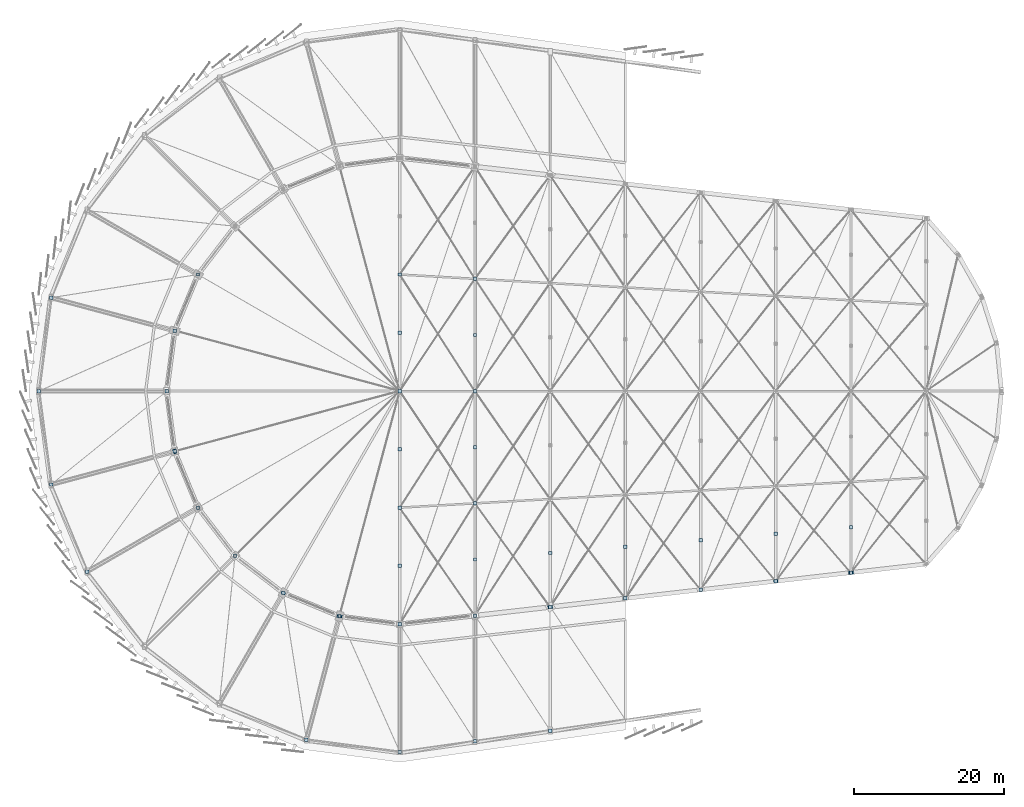
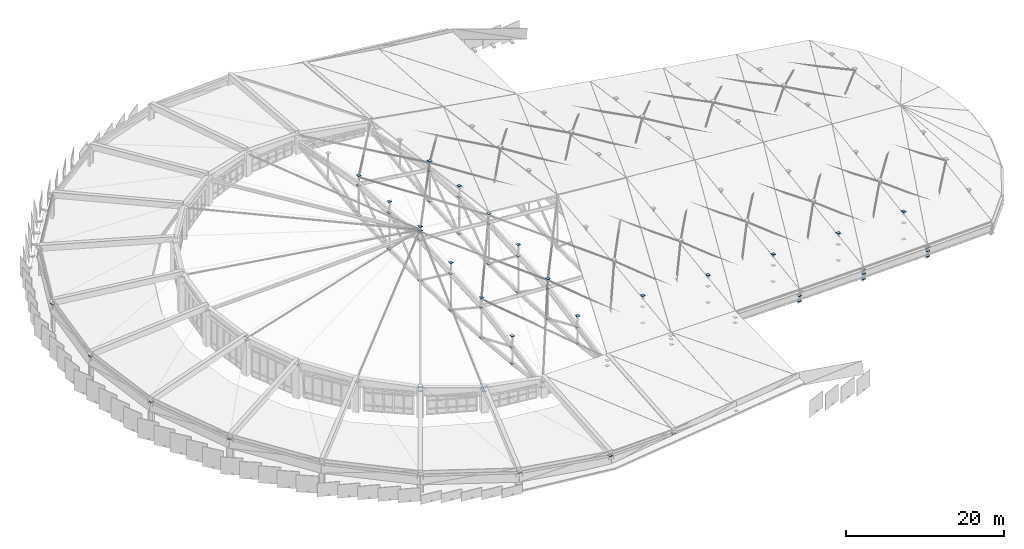
# One storey, part 61 of 68: 89 plates.
"""IFC4 building model written with IfcOpenShell, lengths in metres."""

from ifc_helpers import new_model, si_unit, direction, frame, origin, origin_2d, place, context, subcontext, project, spatial, rectangle, extrude, material, layer, layer_set, type_object, element, save


model = new_model("IFC4")

# Units and contexts
model_context = context("Model", 3, precision=1e-05, world=origin(), true_north=direction((0.0, 1.0)))
body_context = subcontext(model_context, "Body", "Model", "MODEL_VIEW")
ifc_project = project(units=[si_unit("LENGTHUNIT", "METRE"), si_unit("AREAUNIT", "SQUARE_METRE"), si_unit("VOLUMEUNIT", "CUBIC_METRE"), si_unit("PLANEANGLEUNIT", "RADIAN"), si_unit("MASSUNIT", "GRAM", prefix="KILO")], contexts=[model_context])

# Site, building, storey
site_placement = place(None, origin())
site = spatial("IfcSite", under=ifc_project, at=site_placement, CompositionType="ELEMENT")
building_placement = place(site_placement, origin())
building = spatial("IfcBuilding", under=site, at=building_placement, Name="Sohan Crest Arena", CompositionType="ELEMENT")
storey_placement = place(building_placement, frame((0.0, 0.0, 27.0)))
storey = spatial("IfcBuildingStorey", under=building, at=storey_placement, Name="RF", CompositionType="ELEMENT", Elevation=27.0)

# Plates
ifc_material = material(Name="Steel S355", Category="steel")
ifc_layer_1 = layer(ifc_material, 0.031982421875, Name="Steel S355")
ifc_layer_set_1 = layer_set([ifc_layer_1], Name="Steel S355")
plate_type_1 = type_object("IfcPlateType", Name="STR-PL-BP01", PredefinedType="USERDEFINED", material=ifc_layer_set_1)
for number, where, z_axis, x_axis, name in (
    (1, (51.635986328125, 90.423095703125, 4.12646484375), (0.0, 0.0, 1.0), (1.0, 0.0, 0.0), "Hollow section end cap plate ECP-0174"),
    (2, (50.0, 78.0, 4.234619140625), (0.0, 0.0, 1.0), (1.0, 0.0, 0.0), "Hollow section end cap plate ECP-0175"),
    (3, (51.635986328125, 65.576904296875, 4.12646484375), (0.0, 0.0, 1.0), (1.0, 0.0, 0.0), "Hollow section end cap plate ECP-0176"),
    (4, (56.430908203125, 54.0, 3.8115234375), (0.0, 0.0, 1.0), (1.0, 0.0, 0.0), "Hollow section end cap plate ECP-0177"),
    (5, (85.576904296875, 31.635986328125, 1.945556640625), (0.0, 0.0, 1.0), (1.0, 0.0, 0.0), "Hollow section end cap plate ECP-0180"),
    (6, (98.0, 30.0, 1.178466796875), (0.0, 0.0, 1.0), (1.0, 0.0, 0.0), "Hollow section end cap plate ECP-0181"),
    (7, (108.0, 31.428955078125, 0.25048828125), (0.0, 0.0, 1.0), (1.0, 0.0, 0.0), "Hollow section end cap plate ECP-0182"),
    (8, (118.0, 32.85693359375, -0.6455078125), (0.0, 0.0, 1.0), (1.0, 0.0, 0.0), "Hollow section end cap plate ECP-0183"),
    (9, (98.0, 47.0, 1.448486328125), (0.0, 0.0, 1.0), (1.0, 0.0, 0.0), "Hollow section end cap plate ECP-0277"),
    (10, (98.0, 54.75, 2.892578125), (0.0, 0.0, 1.0), (1.0, 0.0, 0.0), "Hollow section end cap plate ECP-0278"),
    (11, (98.0, 54.75, 4.62255859375), (0.0, 0.0, 1.0), (1.0, 0.0, 0.0), "Hollow section end cap plate ECP-0279"),
    (12, (98.0, 62.5, 4.336669921875), (0.0, 0.0, 1.0), (1.0, 0.0, 0.0), "Hollow section end cap plate ECP-0280"),
    (13, (98.0, 62.5, 5.82666015625), (0.0, 0.0, 1.0), (1.0, 0.0, 0.0), "Hollow section end cap plate ECP-0281"),
    (14, (98.0, 70.25, 4.817626953125), (0.0, 0.0, 1.0), (1.0, 0.0, 0.0), "Hollow section end cap plate ECP-0282"),
    (15, (98.0, 70.25, 6.547607421875), (0.0, 0.0, 1.0), (1.0, 0.0, 0.0), "Hollow section end cap plate ECP-0283"),
    (16, (98.0, 78.0, 5.298583984375), (0.0, 0.0, 1.0), (1.0, 0.0, 0.0), "Hollow section end cap plate ECP-0284"),
    (17, (98.0, 78.0, 6.78857421875), (0.0, 0.0, 1.0), (1.0, 0.0, 0.0), "Hollow section end cap plate ECP-0285"),
    (18, (98.0, 85.75, 4.817626953125), (0.0, 0.0, 1.0), (1.0, 0.0, 0.0), "Hollow section end cap plate ECP-0286"),
    (19, (98.0, 85.75, 6.547607421875), (0.0, 0.0, 1.0), (1.0, 0.0, 0.0), "Hollow section end cap plate ECP-0287"),
    (20, (98.0, 93.5, 4.336669921875), (0.0, 0.0, 1.0), (1.0, 0.0, 0.0), "Hollow section end cap plate ECP-0288"),
    (21, (98.0, 93.5, 5.82666015625), (0.0, 0.0, 1.0), (1.0, 0.0, 0.0), "Hollow section end cap plate ECP-0289"),
    (22, (98.0, 54.75, 0.3984375), (0.0, 0.0, 1.0), (1.0, 0.0, 0.0), "Hollow section end cap plate ECP-0293"),
    (23, (98.0, 62.5, -0.3515625), (0.0, 0.0, 1.0), (1.0, 0.0, 0.0), "Hollow section end cap plate ECP-0294"),
    (24, (98.0, 70.25, -0.801513671875), (0.0, 0.0, 1.0), (1.0, 0.0, 0.0), "Hollow section end cap plate ECP-0295"),
    (25, (98.0, 78.0, -0.951416015625), (0.0, 0.0, 1.0), (1.0, 0.0, 0.0), "Hollow section end cap plate ECP-0296"),
    (26, (98.0, 85.75, -0.801513671875), (0.0, 0.0, 1.0), (1.0, 0.0, 0.0), "Hollow section end cap plate ECP-0297"),
    (27, (98.0, 93.5, -0.3515625), (0.0, 0.0, 1.0), (1.0, 0.0, 0.0), "Hollow section end cap plate ECP-0298"),
    (28, (108.0, 48.14306640625, 0.5205078125), (0.0, 0.0, 1.0), (1.0, 0.0, 0.0), "Hollow section end cap plate ECP-0300"),
    (29, (108.0, 55.60791015625, 1.964599609375), (0.0, 0.0, 1.0), (1.0, 0.0, 0.0), "Hollow section end cap plate ECP-0301"),
    (30, (108.0, 55.60693359375, 3.694580078125), (0.0, 0.0, 1.0), (1.0, 0.0, 0.0), "Hollow section end cap plate ECP-0302"),
    (31, (108.0, 63.072021484375, 3.408447265625), (0.0, 0.0, 1.0), (1.0, 0.0, 0.0), "Hollow section end cap plate ECP-0303"),
    (32, (108.0, 63.072021484375, 4.8984375), (0.0, 0.0, 1.0), (1.0, 0.0, 0.0), "Hollow section end cap plate ECP-0304"),
    (33, (108.0, 70.535888671875, 3.8896484375), (0.0, 0.0, 1.0), (1.0, 0.0, 0.0), "Hollow section end cap plate ECP-0305"),
    (34, (108.0, 70.535888671875, 5.61962890625), (0.0, 0.0, 1.0), (1.0, 0.0, 0.0), "Hollow section end cap plate ECP-0306"),
    (35, (108.0, 78.0, 4.37060546875), (0.0, 0.0, 1.0), (1.0, 0.0, 0.0), "Hollow section end cap plate ECP-0307"),
    (36, (108.0, 78.0, 5.860595703125), (0.0, 0.0, 1.0), (1.0, 0.0, 0.0), "Hollow section end cap plate ECP-0308"),
    (37, (108.0, 85.464111328125, 3.8896484375), (0.0, 0.0, 1.0), (1.0, 0.0, 0.0), "Hollow section end cap plate ECP-0309"),
    (38, (108.0, 85.464111328125, 5.61962890625), (0.0, 0.0, 1.0), (1.0, 0.0, 0.0), "Hollow section end cap plate ECP-0310"),
    (39, (108.0, 92.927978515625, 3.408447265625), (0.0, 0.0, 1.0), (1.0, 0.0, 0.0), "Hollow section end cap plate ECP-0311"),
    (40, (108.0, 92.927978515625, 4.8984375), (0.0, 0.0, 1.0), (1.0, 0.0, 0.0), "Hollow section end cap plate ECP-0312"),
    (41, (108.0, 55.60693359375, -0.529541015625), (0.0, 0.0, 1.0), (1.0, 0.0, 0.0), "Hollow section end cap plate ECP-0316"),
    (42, (108.0, 63.072021484375, -1.279541015625), (0.0, 0.0, 1.0), (1.0, 0.0, 0.0), "Hollow section end cap plate ECP-0317"),
    (43, (108.0, 70.535888671875, -1.7294921875), (0.0, 0.0, 1.0), (1.0, 0.0, 0.0), "Hollow section end cap plate ECP-0318"),
    (44, (108.0, 78.0, -1.87939453125), (0.0, 0.0, 1.0), (1.0, 0.0, 0.0), "Hollow section end cap plate ECP-0319"),
    (45, (108.0, 85.464111328125, -1.7294921875), (0.0, 0.0, 1.0), (1.0, 0.0, 0.0), "Hollow section end cap plate ECP-0320"),
    (46, (108.0, 92.927978515625, -1.279541015625), (0.0, 0.0, 1.0), (1.0, 0.0, 0.0), "Hollow section end cap plate ECP-0321"),
    (47, (118.0, 49.285888671875, -0.37548828125), (0.0, 0.0, 1.0), (1.0, 0.0, 0.0), "Hollow section end cap plate ECP-0323"),
    (48, (118.0, 56.465087890625, 1.068603515625), (0.0, 0.0, 1.0), (1.0, 0.0, 0.0), "Hollow section end cap plate ECP-0324"),
    (49, (118.0, 56.465087890625, 2.798583984375), (0.0, 0.0, 1.0), (1.0, 0.0, 0.0), "Hollow section end cap plate ECP-0325"),
    (50, (118.0, 56.465087890625, -1.425537109375), (0.0, 0.0, 1.0), (1.0, 0.0, 0.0), "Hollow section end cap plate ECP-0339"),
    (51, (128.0, 50.428955078125, -1.2353515625), (0.0, 0.0, 1.0), (1.0, 0.0, 0.0), "Hollow section end cap plate ECP-0346"),
    (52, (128.0, 57.322021484375, 0.20849609375), (0.0, 0.0, 1.0), (1.0, 0.0, 0.0), "Hollow section end cap plate ECP-0347"),
    (53, (128.0, 57.322021484375, 1.9384765625), (0.0, 0.0, 1.0), (1.0, 0.0, 0.0), "Hollow section end cap plate ECP-0348"),
    (54, (128.0, 57.322021484375, -2.285400390625), (0.0, 0.0, 1.0), (1.0, 0.0, 0.0), "Hollow section end cap plate ECP-0362"),
    (55, (138.0, 51.571044921875, -2.052490234375), (0.0, 0.0, 1.0), (1.0, 0.0, 0.0), "Hollow section end cap plate ECP-0369"),
    (56, (138.0, 58.177978515625, -0.6083984375), (0.0, 0.0, 1.0), (1.0, 0.0, 0.0), "Hollow section end cap plate ECP-0370"),
    (57, (138.0, 58.177978515625, 1.12158203125), (0.0, 0.0, 1.0), (1.0, 0.0, 0.0), "Hollow section end cap plate ECP-0371"),
    (58, (138.0, 58.177978515625, -3.1025390625), (0.0, 0.0, 1.0), (1.0, 0.0, 0.0), "Hollow section end cap plate ECP-0385"),
    (59, (148.0, 52.714111328125, -2.8193359375), (0.0, 0.0, 1.0), (1.0, 0.0, 0.0), "Hollow section end cap plate ECP-0392"),
    (60, (148.0, 59.034912109375, -1.37548828125), (0.0, 0.0, 1.0), (1.0, 0.0, 0.0), "Hollow section end cap plate ECP-0393"),
    (61, (148.0, 59.034912109375, 0.3544921875), (0.0, 0.0, 1.0), (1.0, 0.0, 0.0), "Hollow section end cap plate ECP-0394"),
    (62, (148.0, 59.034912109375, -3.869384765625), (0.0, 0.0, 1.0), (1.0, 0.0, 0.0), "Hollow section end cap plate ECP-0408"),
    (63, (158.0, 53.85693359375, -3.5244140625), (0.0, 0.0, 1.0), (1.0, 0.0, 0.0), "Hollow section end cap plate ECP-0415"),
    (64, (158.0, 59.89208984375, -2.08154296875), (0.0, 0.0, 1.0), (1.0, 0.0, 0.0), "Hollow section end cap plate ECP-0416"),
    (65, (158.0, 59.89306640625, -0.350341796875), (0.0, 0.0, 1.0), (1.0, 0.0, 0.0), "Hollow section end cap plate ECP-0417"),
    (66, (158.0, 59.89306640625, -4.574462890625), (0.0, 0.0, 1.0), (1.0, 0.0, 0.0), "Hollow section end cap plate ECP-0431"),
    (67, (71.153076171875, 93.5, 4.8916015625), (0.0, 0.0, 1.0), (1.0, 0.0, 0.0), "Hollow section end cap plate ECP-0465"),
    (68, (68.055908203125, 86.02294921875, 5.20654296875), (0.0, 0.0, 1.0), (1.0, 0.0, 0.0), "Hollow section end cap plate ECP-0466"),
    (69, (67.0, 78.0, 5.314453125), (0.0, 0.0, 1.0), (1.0, 0.0, 0.0), "Hollow section end cap plate ECP-0467"),
    (70, (68.055908203125, 69.97705078125, 5.20654296875), (0.0, 0.0, 1.0), (1.0, 0.0, 0.0), "Hollow section end cap plate ECP-0468"),
    (71, (71.153076171875, 62.5, 4.8916015625), (0.0, 0.0, 1.0), (1.0, 0.0, 0.0), "Hollow section end cap plate ECP-0469"),
    (72, (76.080078125, 56.080078125, 4.39453125), (0.0, 0.0, 1.0), (1.0, 0.0, 0.0), "Hollow section end cap plate ECP-0470"),
    (73, (82.5, 51.153076171875, 3.755615234375), (0.0, 0.0, 1.0), (1.0, 0.0, 0.0), "Hollow section end cap plate ECP-0471"),
    (74, (89.97705078125, 48.055908203125, 3.025634765625), (0.0, 0.0, 1.0), (1.0, 0.0, 0.0), "Hollow section end cap plate ECP-0472"),
    (75, (98.0, 47.0, 2.258544921875), (0.0, 0.0, 1.0), (1.0, 0.0, 0.0), "Hollow section end cap plate ECP-0473"),
    (76, (108.0, 48.14306640625, 1.33056640625), (0.0, 0.0, 1.0), (1.0, 0.0, 0.0), "Hollow section end cap plate ECP-0474"),
    (77, (118.0, 49.285888671875, 0.4345703125), (0.0, 0.0, 1.0), (1.0, 0.0, 0.0), "Hollow section end cap plate ECP-0475"),
    (78, (128.0, 50.428955078125, -0.425537109375), (0.0, 0.0, 1.0), (1.0, 0.0, 0.0), "Hollow section end cap plate ECP-0476"),
    (79, (138.0, 51.571044921875, -1.242431640625), (0.0, 0.0, 1.0), (1.0, 0.0, 0.0), "Hollow section end cap plate ECP-0477"),
    (80, (148.0, 52.714111328125, -2.009521484375), (0.0, 0.0, 1.0), (1.0, 0.0, 0.0), "Hollow section end cap plate ECP-0478"),
    (81, (158.0, 53.85693359375, -2.71435546875), (0.0, 0.0, 1.0), (1.0, 0.0, 0.0), "Hollow section end cap plate ECP-0479"),
    (82, (98.0, 78.0, 6.45458984375), (0.0, 0.0, 1.0), (1.0, 0.0, 0.0), "Hollow section end cap plate ECP-0495"),
    (83, (98.0, 78.0, 7.384521484375), (0.0, 0.0, 1.0), (1.0, 0.0, 0.0), "Hollow section end cap plate ECP-0496"),
):
    element("IfcPlate", number, at=place(storey_placement, frame(where, z_axis=z_axis, x_axis=x_axis)), inside=storey, type_object=plate_type_1, Name=name, ObjectType="BASE PLATE", PredefinedType="USERDEFINED", context=body_context, shape_type="SweptSolid", body=[
        extrude(rectangle(XDim=0.449951171875, YDim=0.449951171875, at=origin_2d()), origin(), (0.0, 0.0, 1.0), 0.02490234375),
    ])
ifc_layer_2 = layer(ifc_material, 0.02490234375, Name="Steel S355")
ifc_layer_set_2 = layer_set([ifc_layer_2], Name="Steel S355")
plate_type_2 = type_object("IfcPlateType", Name="STR-PL-GP01", PredefinedType="USERDEFINED", material=ifc_layer_set_2)
for number, where, z_axis, x_axis, name in (
    (84, (68.055908203125, 69.97705078125, 5.7666015625), (0.0, 0.0, 1.0), (-0.382683432365, 0.923879532511, 0.0), "Ring beam node gusset plate GP-RB08"),
    (85, (118.0, 49.285888671875, 0.99462890625), (0.0, 0.0, 1.0), (0.993571855677, 0.113203213768, 0.0), "Ring beam node gusset plate GP-RB15"),
):
    element("IfcPlate", number, at=place(storey_placement, frame(where, z_axis=z_axis, x_axis=x_axis)), inside=storey, type_object=plate_type_2, Name=name, ObjectType="GUSSET PLATE", PredefinedType="USERDEFINED", context=body_context, shape_type="SweptSolid", body=[
        extrude(rectangle(XDim=0.64990234375, YDim=0.419921875, at=origin_2d()), origin(), (0.0, 0.0, 1.0), 0.02490234375),
    ])
ifc_layer_3 = layer(ifc_material, 0.02392578125, Name="Steel S355")
ifc_layer_set_3 = layer_set([ifc_layer_3], Name="Steel S355")
plate_type_3 = type_object("IfcPlateType", Name="STR-PL-GP04", PredefinedType="USERDEFINED", material=ifc_layer_set_3)
for number, where, z_axis, x_axis, name in (
    (86, (82.5, 51.153076171875, 4.31591796875), (0.0, 0.0, 1.0), (-0.923879532511, 0.382683432365, 0.0), "Ring beam node gusset plate GP-RB11"),
    (87, (148.0, 52.714111328125, -1.448974609375), (0.0, 0.0, 1.0), (0.993571855677, 0.113203213768, 0.0), "Ring beam node gusset plate GP-RB18"),
):
    element("IfcPlate", number, at=place(storey_placement, frame(where, z_axis=z_axis, x_axis=x_axis)), inside=storey, type_object=plate_type_3, Name=name, ObjectType="GUSSET PLATE", PredefinedType="USERDEFINED", context=body_context, shape_type="SweptSolid", body=[
        extrude(rectangle(XDim=0.580078125, YDim=0.360107421875, at=origin_2d()), origin(), (0.0, 0.0, 1.0), 0.02392578125),
    ])
ifc_layer_4 = layer(ifc_material, 0.028076171875, Name="Steel S355")
ifc_layer_set_4 = layer_set([ifc_layer_4], Name="Steel S355")
plate_type_4 = type_object("IfcPlateType", Name="STR-PL-GP05", PredefinedType="USERDEFINED", material=ifc_layer_set_4)
for number, where, z_axis, x_axis, name in (
    (88, (89.97705078125, 48.055908203125, 3.583984375), (0.0, 0.0, 1.0), (-0.991444861374, 0.13052619222, 0.0), "Ring beam node gusset plate GP-RB12"),
    (89, (158.0, 53.85693359375, -2.15625), (0.0, 0.0, 1.0), (0.993571855677, 0.113203213768, 0.0), "Ring beam node gusset plate GP-RB19"),
):
    element("IfcPlate", number, at=place(storey_placement, frame(where, z_axis=z_axis, x_axis=x_axis)), inside=storey, type_object=plate_type_4, Name=name, ObjectType="GUSSET PLATE", PredefinedType="USERDEFINED", context=body_context, shape_type="SweptSolid", body=[
        extrude(rectangle(XDim=0.719970703125, YDim=0.43994140625, at=origin_2d()), origin(), (0.0, 0.0, 1.0), 0.028076171875),
    ])

save(model, "model.ifc")
